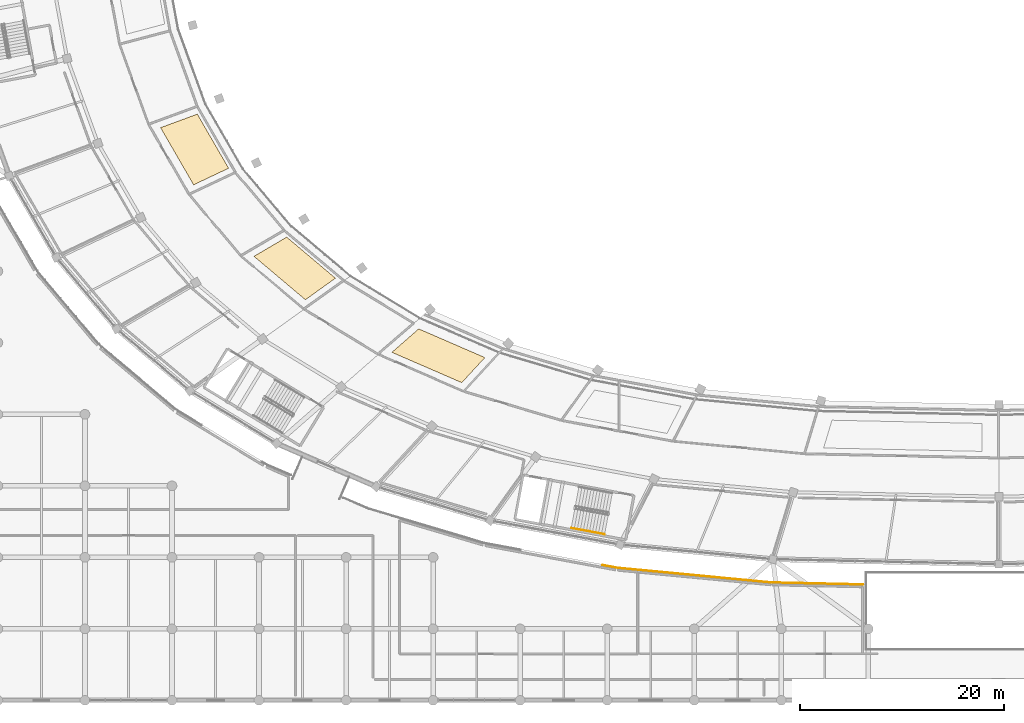
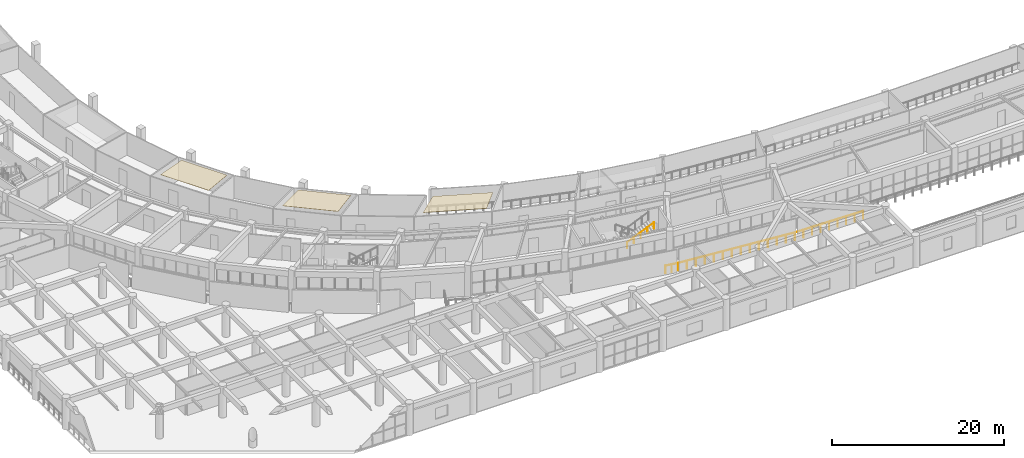
# One storey, part 117 of 141: 3 coverings, 2 railings.
"""IFC4 building model written with IfcOpenShell, lengths in metres."""

from ifc_helpers import new_model, si_unit, direction, frame, origin, origin_2d, place, context, subcontext, project, spatial, polyline, circle, outline, extrude, material, layer, layer_set, type_object, element, save


model = new_model("IFC4")

# Units and contexts
model_context = context("Model", 3, precision=1e-05, world=origin(), true_north=direction((0.0, 1.0)))
body_context = subcontext(model_context, "Body", "Model", "MODEL_VIEW")
ifc_project = project(units=[si_unit("LENGTHUNIT", "METRE"), si_unit("AREAUNIT", "SQUARE_METRE"), si_unit("VOLUMEUNIT", "CUBIC_METRE"), si_unit("PLANEANGLEUNIT", "RADIAN"), si_unit("MASSUNIT", "GRAM", prefix="KILO")], contexts=[model_context])

# Site, building, storey
site_placement = place(None, origin())
site = spatial("IfcSite", under=ifc_project, at=site_placement, CompositionType="ELEMENT")
building_placement = place(site_placement, origin())
building = spatial("IfcBuilding", under=site, at=building_placement, Name="Mphavela Belvedere Stadium", CompositionType="ELEMENT")
storey_placement = place(building_placement, frame((0.0, 0.0, 14.699951171875)))
storey = spatial("IfcBuildingStorey", under=building, at=storey_placement, Name="L03", CompositionType="ELEMENT", Elevation=14.699951171875)

# Coverings
ifc_material_1 = material(Name="Perforated acoustic mineral ceiling tile")
ifc_layer = layer(ifc_material_1, 0.0400390625)
ifc_layer_set = layer_set([ifc_layer], Name="Perforated acoustic mineral ceiling tile")
covering_type = type_object("IfcCoveringType", Name="COV-CEILING-ACOUSTIC", PredefinedType="CEILING", material=ifc_layer_set)
covering_1_placement = place(storey_placement, frame((0.0, 0.0, 3.199951171875)))
element("IfcCovering", 1, at=covering_1_placement, inside=storey, type_object=covering_type, Name="Concourse acoustic ceiling L03-28", PredefinedType="CEILING", context=body_context, shape_type="SweptSolid", body=[
    extrude(outline(polyline([(36.55224609375, 57.37451171875), (39.614501953125, 52.07861328125), (36.189208984375, 50.457275390625), (32.955810546875, 56.049560546875), (36.55224609375, 57.37451171875)])), origin(), (0.0, 0.0, 1.0), 0.0400390625),
])
covering_2_placement = place(storey_placement, frame((0.0, 0.0, 3.199951171875)))
element("IfcCovering", 2, at=covering_2_placement, inside=storey, type_object=covering_type, Name="Concourse acoustic ceiling L03-30", PredefinedType="CEILING", context=body_context, shape_type="SweptSolid", body=[
    extrude(outline(polyline([(45.30078125, 45.339111328125), (50.068359375, 41.316162109375), (47.129150390625, 39.210205078125), (42.094970703125, 43.4580078125), (45.30078125, 45.339111328125)])), origin(), (0.0, 0.0, 1.0), 0.0400390625),
])
covering_3_placement = place(storey_placement, frame((0.0, 0.0, 3.199951171875)))
element("IfcCovering", 3, at=covering_3_placement, inside=storey, type_object=covering_type, Name="Concourse acoustic ceiling L03-32", PredefinedType="CEILING", context=body_context, shape_type="SweptSolid", body=[
    extrude(outline(polyline([(58.21875, 36.35888671875), (64.69580078125, 33.55078125), (62.43310546875, 31.0966796875), (55.593505859375, 34.061767578125), (58.21875, 36.35888671875)])), origin(), (0.0, 0.0, 1.0), 0.0400390625),
])

# Railings
ifc_material_2 = material(Name="Bronze and laminated glass stadium balustrade", Category="glass")
railing_type_1 = type_object("IfcRailingType", Name="RAL-BALUSTRADE-1120", PredefinedType="BALUSTRADE", material=ifc_material_2)
railing_1_placement = place(storey_placement, frame((76.212890625, 13.232666015625, 0.0)))
element("IfcRailing", 4, at=railing_1_placement, inside=storey, type_object=railing_type_1, Name="Peristyle wing gallery edge balustrade L03-04", PredefinedType="BALUSTRADE", context=body_context, shape_type="SweptSolid", body=[
    extrude(circle(Radius=0.02392578125, at=origin_2d()), frame((0.0, 0.0, 1.09619140625), z_axis=(0.984163739647, -0.177261765658, 0.0), x_axis=(0.177261765658, 0.984163739647, 0.0)), (0.0, 0.0, 1.0), 1.52197265625),
    extrude(circle(Radius=0.02392578125, at=origin_2d()), frame((1.497802734375, -0.269775390625, 1.09619140625), z_axis=(0.995483637339, -0.094933280733, 0.0), x_axis=(0.094933280733, 0.995483637339, 0.0)), (0.0, 0.0, 1.0), 15.029052734375),
    extrude(circle(Radius=0.02392578125, at=origin_2d()), frame((16.458984375, -1.696533203125, 1.09619140625), z_axis=(0.999754122282, -0.022174196285, 0.0), x_axis=(0.022174196285, 0.999754122282, 0.0)), (0.0, 0.0, 1.0), 9.05029296875),
    extrude(circle(Radius=0.02099609375, at=origin_2d()), origin(), (0.0, 0.0, 1.0), 1.072021484375),
    extrude(circle(Radius=0.02099609375, at=origin_2d()), frame((0.7490234375, -0.134765625, 0.0)), (0.0, 0.0, 1.0), 1.072021484375),
    extrude(circle(Radius=0.02099609375, at=origin_2d()), frame((1.497802734375, -0.269775390625, 0.0)), (0.0, 0.0, 1.0), 1.072021484375),
    extrude(circle(Radius=0.02099609375, at=origin_2d()), frame((2.648681640625, -0.379638671875, 0.0)), (0.0, 0.0, 1.0), 1.072021484375),
    extrude(circle(Radius=0.02099609375, at=origin_2d()), frame((3.799560546875, -0.4892578125, 0.0)), (0.0, 0.0, 1.0), 1.072021484375),
    extrude(circle(Radius=0.02099609375, at=origin_2d()), frame((4.950439453125, -0.59912109375, 0.0)), (0.0, 0.0, 1.0), 1.072021484375),
    extrude(circle(Radius=0.02099609375, at=origin_2d()), frame((6.101318359375, -0.708740234375, 0.0)), (0.0, 0.0, 1.0), 1.072021484375),
    extrude(circle(Radius=0.02099609375, at=origin_2d()), frame((7.252197265625, -0.818603515625, 0.0)), (0.0, 0.0, 1.0), 1.072021484375),
    extrude(circle(Radius=0.02099609375, at=origin_2d()), frame((8.403076171875, -0.92822265625, 0.0)), (0.0, 0.0, 1.0), 1.072021484375),
    extrude(circle(Radius=0.02099609375, at=origin_2d()), frame((9.5537109375, -1.0380859375, 0.0)), (0.0, 0.0, 1.0), 1.072021484375),
    extrude(circle(Radius=0.02099609375, at=origin_2d()), frame((10.70458984375, -1.147705078125, 0.0)), (0.0, 0.0, 1.0), 1.072021484375),
    extrude(circle(Radius=0.02099609375, at=origin_2d()), frame((11.85546875, -1.257568359375, 0.0)), (0.0, 0.0, 1.0), 1.072021484375),
    extrude(circle(Radius=0.02099609375, at=origin_2d()), frame((13.00634765625, -1.3671875, 0.0)), (0.0, 0.0, 1.0), 1.072021484375),
    extrude(circle(Radius=0.02099609375, at=origin_2d()), frame((14.1572265625, -1.47705078125, 0.0)), (0.0, 0.0, 1.0), 1.072021484375),
    extrude(circle(Radius=0.02099609375, at=origin_2d()), frame((15.30810546875, -1.586669921875, 0.0)), (0.0, 0.0, 1.0), 1.072021484375),
    extrude(circle(Radius=0.02099609375, at=origin_2d()), frame((16.458984375, -1.696533203125, 0.0)), (0.0, 0.0, 1.0), 1.072021484375),
    extrude(circle(Radius=0.02099609375, at=origin_2d()), frame((17.590087890625, -1.7216796875, 0.0)), (0.0, 0.0, 1.0), 1.072021484375),
    extrude(circle(Radius=0.02099609375, at=origin_2d()), frame((18.720947265625, -1.74658203125, 0.0)), (0.0, 0.0, 1.0), 1.072021484375),
    extrude(circle(Radius=0.02099609375, at=origin_2d()), frame((19.85205078125, -1.771728515625, 0.0)), (0.0, 0.0, 1.0), 1.072021484375),
    extrude(circle(Radius=0.02099609375, at=origin_2d()), frame((20.98291015625, -1.796875, 0.0)), (0.0, 0.0, 1.0), 1.072021484375),
    extrude(circle(Radius=0.02099609375, at=origin_2d()), frame((22.114013671875, -1.822021484375, 0.0)), (0.0, 0.0, 1.0), 1.072021484375),
    extrude(circle(Radius=0.02099609375, at=origin_2d()), frame((23.2451171875, -1.84716796875, 0.0)), (0.0, 0.0, 1.0), 1.072021484375),
    extrude(circle(Radius=0.02099609375, at=origin_2d()), frame((24.3759765625, -1.8720703125, 0.0)), (0.0, 0.0, 1.0), 1.072021484375),
    extrude(circle(Radius=0.02099609375, at=origin_2d()), frame((25.507080078125, -1.897216796875, 0.0)), (0.0, 0.0, 1.0), 1.072021484375),
])
ifc_material_3 = material(Name="Brushed stainless steel tubular handrail", Category="steel")
railing_type_2 = type_object("IfcRailingType", Name="RAL-HANDRAIL-900", PredefinedType="HANDRAIL", material=ifc_material_3)
railing_2_placement = place(storey_placement, frame((73.146728515625, 16.86279296875, 2.4375)))
element("IfcRailing", 5, at=railing_2_placement, inside=storey, type_object=railing_type_2, Name="L03 ST-C11 stair handrail 2", PredefinedType="HANDRAIL", context=body_context, shape_type="SweptSolid", body=[
    extrude(circle(Radius=0.02392578125, at=origin_2d()), frame((0.0, 0.0, 0.8759765625), z_axis=(0.835218061398, -0.155530252743, 0.527466710226), x_axis=(0.183068151301, 0.983100224789, 0.0)), (0.0, 0.0, 1.0), 3.91015625),
    extrude(circle(Radius=0.02099609375, at=origin_2d()), origin(), (0.0, 0.0, 1.0), 0.851806640625),
    extrude(circle(Radius=0.02099609375, at=origin_2d()), frame((0.81640625, -0.152099609375, 0.515625)), (0.0, 0.0, 1.0), 0.851806640625),
    extrude(circle(Radius=0.02099609375, at=origin_2d()), frame((1.6328125, -0.30419921875, 1.03125)), (0.0, 0.0, 1.0), 0.851806640625),
    extrude(circle(Radius=0.02099609375, at=origin_2d()), frame((2.449462890625, -0.4560546875, 1.546875)), (0.0, 0.0, 1.0), 0.851806640625),
    extrude(circle(Radius=0.02099609375, at=origin_2d()), frame((3.265869140625, -0.608154296875, 2.0625)), (0.0, 0.0, 1.0), 0.851806640625),
])

save(model, "model.ifc")
